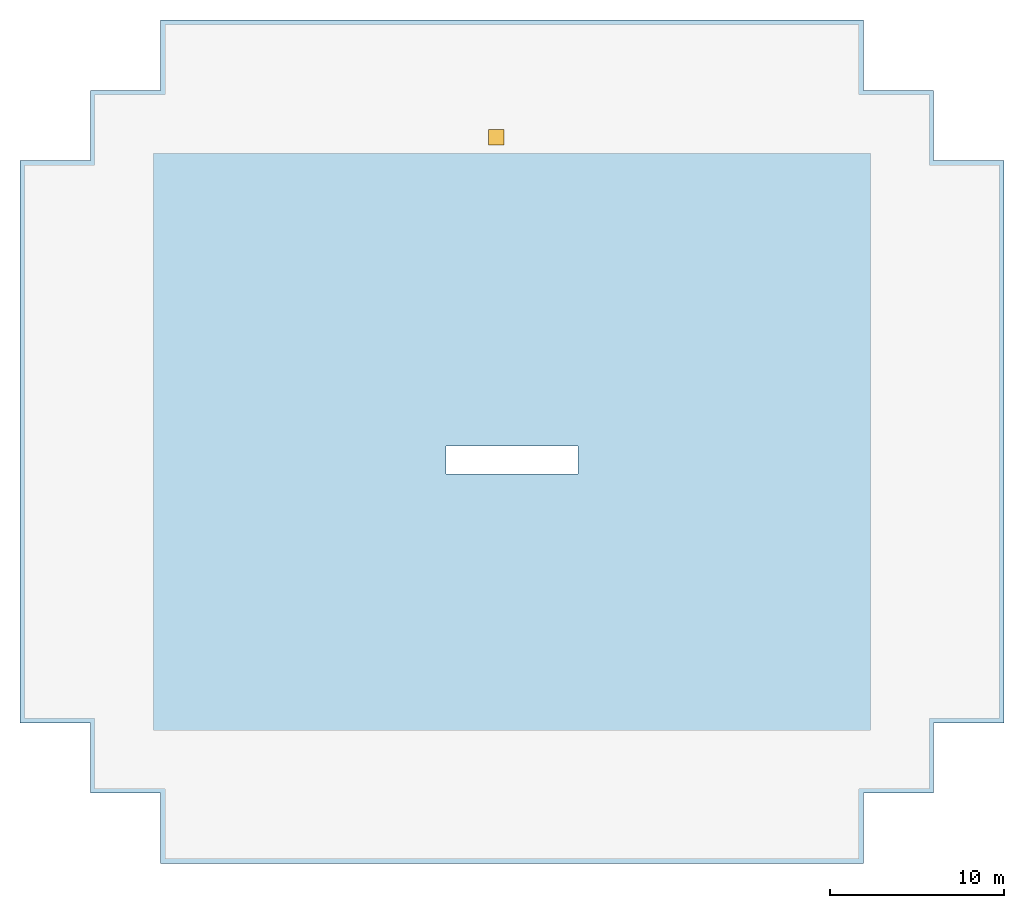
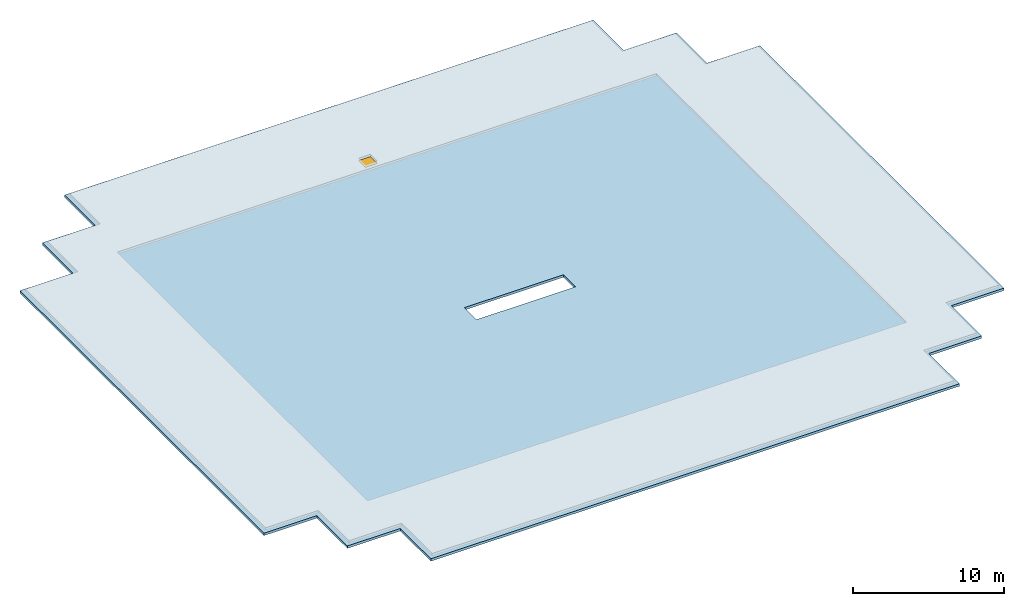
# One storey, part 1 of 2: 1 slab, 1 window, 1 opening.
"""IFC4 building model written with IfcOpenShell, lengths in metres."""

from ifc_helpers import new_model, si_unit, direction, frame, origin, origin_2d, place, context, subcontext, project, spatial, polyline, rectangle, outline, extrude, material, layer, layer_set, type_object, element, fill, save


model = new_model("IFC4")

# Units and contexts
model_context = context("Model", 3, precision=1e-05, world=origin(), true_north=direction((0.0, 1.0)))
body_context = subcontext(model_context, "Body", "Model", "MODEL_VIEW")
ifc_project = project(units=[si_unit("LENGTHUNIT", "METRE"), si_unit("AREAUNIT", "SQUARE_METRE"), si_unit("VOLUMEUNIT", "CUBIC_METRE"), si_unit("PLANEANGLEUNIT", "RADIAN"), si_unit("MASSUNIT", "GRAM", prefix="KILO")], contexts=[model_context])

# Site, building, storey
site_placement = place(None, origin())
site = spatial("IfcSite", under=ifc_project, at=site_placement, CompositionType="ELEMENT")
building_placement = place(site_placement, origin())
building = spatial("IfcBuilding", under=site, at=building_placement, Name="Kopane Lantern Tower", CompositionType="ELEMENT")
storey_placement = place(building_placement, frame((0.0, 0.0, 309.699951171875)))
storey = spatial("IfcBuildingStorey", under=building, at=storey_placement, Name="ROOF", CompositionType="ELEMENT", Elevation=309.699951171875)

# Slab, opening, window
ifc_material_1 = material(Name="Concrete C40/50", Category="concrete")
ifc_layer = layer(ifc_material_1, 0.199951171875)
ifc_layer_set = layer_set([ifc_layer], Name="SLAB 200 ROOF")
slab_type = type_object("IfcSlabType", Name="SLAB 200 ROOF", PredefinedType="ROOF", material=ifc_layer_set)
slab_placement = place(storey_placement, origin())
slab = element("IfcSlab", 1, at=slab_placement, inside=storey, type_object=slab_type, Name="Main maintenance roof slab", PredefinedType="ROOF", context=body_context, shape_type="SweptSolid", body=[
    extrude(outline(polyline([(8.10009765625, 16.199951171875), (48.60009765625, 16.199951171875), (48.60009765625, 20.25), (52.64990234375, 20.25), (52.64990234375, 24.300048828125), (56.699951171875, 24.300048828125), (56.699951171875, 56.699951171875), (52.64990234375, 56.699951171875), (52.64990234375, 60.75), (48.60009765625, 60.75), (48.60009765625, 64.800048828125), (8.10009765625, 64.800048828125), (8.10009765625, 60.75), (4.050048828125, 60.75), (4.050048828125, 56.699951171875), (0.0, 56.699951171875), (0.0, 24.300048828125), (4.050048828125, 24.300048828125), (4.050048828125, 20.25), (8.10009765625, 20.25), (8.10009765625, 16.199951171875)]), holes=[polyline([(24.550048828125, 38.64990234375), (32.14990234375, 38.64990234375), (32.14990234375, 40.25), (24.550048828125, 40.25), (24.550048828125, 38.64990234375)])]), origin(), (0.0, 0.0, 1.0), 0.199951171875),
])
opening_placement = place(slab_placement, frame((27.449951171875, 58.050048828125, 0.0)))
opening = element("IfcOpeningElement", 2, at=opening_placement, cuts=slab, Name="Opening RH1", PredefinedType="OPENING", context=body_context, shape_type="SweptSolid", body=[
    extrude(rectangle(XDim=0.89990234375, YDim=0.89990234375, at=origin_2d()), origin(), (0.0, 0.0, 1.0), 0.199951171875),
])
ifc_material_2 = material(Name="Insulated aluminium", Category="aluminium")
window_type = type_object("IfcWindowType", Name="ROOF ACCESS HATCH RH1 900x900", PartitioningType="SINGLE_PANEL", PredefinedType="SKYLIGHT", material=ifc_material_2)
window_placement = place(opening_placement, frame((0.0, 0.0, 0.14990234375)))
window = element("IfcWindow", 3, at=window_placement, inside=storey, type_object=window_type, Name="Roof access hatch L77", OverallHeight=0.89990234375, OverallWidth=0.89990234375, PartitioningType="SINGLE_PANEL", PredefinedType="SKYLIGHT", context=body_context, shape_type="SweptSolid", body=[
    extrude(rectangle(XDim=0.89990234375, YDim=0.89990234375, at=origin_2d()), origin(), (0.0, 0.0, 1.0), 0.050048828125),
])
fill(opening, window)

save(model, "model.ifc")
